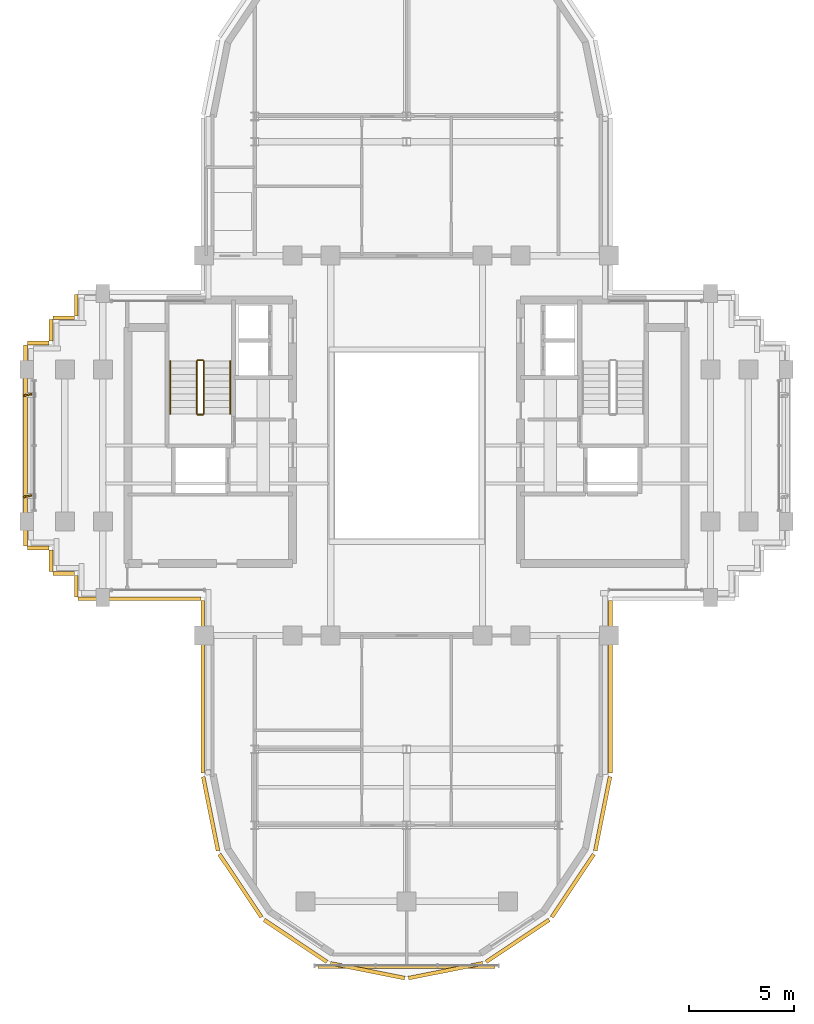
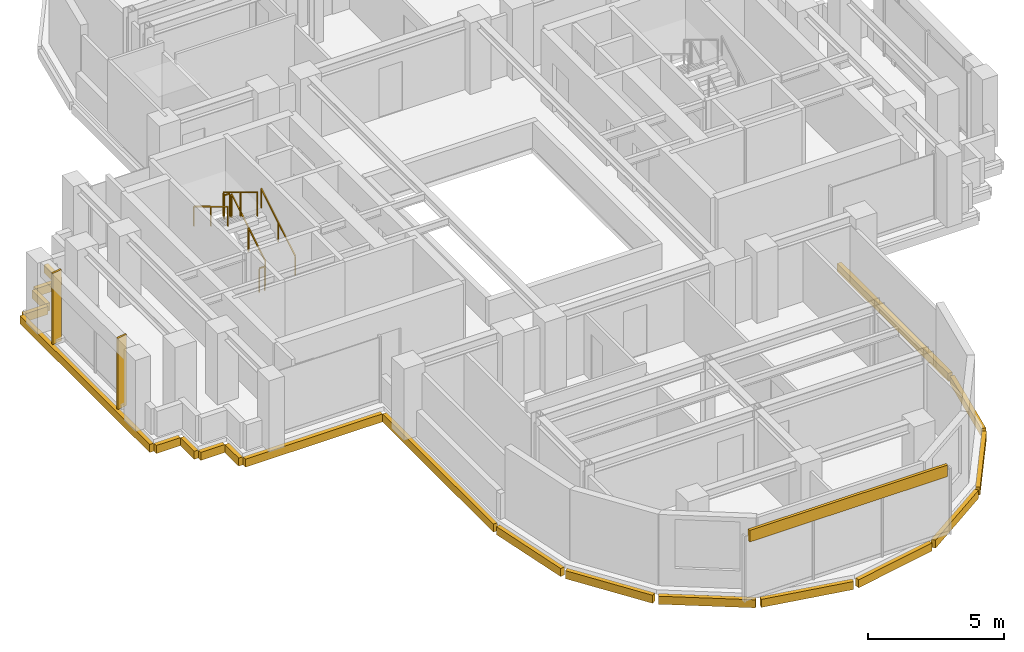
# One storey, part 9 of 11: 21 coverings, 6 railings, 2 shading devices.
"""IFC4 building model written with IfcOpenShell, lengths in metres."""

from ifc_helpers import new_model, si_unit, direction, frame, origin, origin_2d, place, context, subcontext, project, spatial, rectangle, extrude, source, transform, mapped, material, layer, layer_set, type_object, element, save


model = new_model("IFC4")

# Units and contexts
model_context = context("Model", 3, precision=1e-05, world=origin(), true_north=direction((0.0, 1.0)))
body_context = subcontext(model_context, "Body", "Model", "MODEL_VIEW")
ifc_project = project(units=[si_unit("LENGTHUNIT", "METRE"), si_unit("AREAUNIT", "SQUARE_METRE"), si_unit("VOLUMEUNIT", "CUBIC_METRE"), si_unit("PLANEANGLEUNIT", "RADIAN"), si_unit("MASSUNIT", "GRAM", prefix="KILO")], contexts=[model_context])

# Site, building, storey
site_placement = place(None, origin())
site = spatial("IfcSite", under=ifc_project, at=site_placement, CompositionType="ELEMENT")
building_placement = place(site_placement, origin())
building = spatial("IfcBuilding", under=site, at=building_placement, Name="Keilestroom Media Tower", CompositionType="ELEMENT")
storey_placement = place(building_placement, frame((0.0, 0.0, 204.60009765625)))
storey = spatial("IfcBuildingStorey", under=building, at=storey_placement, Name="L56", CompositionType="ELEMENT", Elevation=204.60009765625)

# Railings
ifc_material_1 = material(Name="Brushed Stainless Steel 1.4301", Category="steel")
railing_type_1 = type_object("IfcRailingType", Name="Stair-Pitch-Handrail-920", PredefinedType="HANDRAIL", material=ifc_material_1)
railing_1_placement = place(storey_placement, frame((-8.35009765625, 1.5, 0.188720703125)))
element("IfcRailing", 1, at=railing_1_placement, inside=storey, type_object=railing_type_1, Name="L56 ST-1 stair handrail 1", PredefinedType="HANDRAIL", context=body_context, shape_type="SweptSolid", body=[
    extrude(rectangle(XDim=0.048095703125, YDim=0.048095703125, at=origin_2d()), frame((0.0, 0.0, 0.8759765625), z_axis=(0.0, 0.855433747314, 0.517912255074), x_axis=(-1.0, 0.0, 0.0)), (0.0, 0.0, 1.0), 2.91796875),
    extrude(rectangle(XDim=0.0419921875, YDim=0.0419921875, at=origin_2d()), origin(), (0.0, 0.0, 1.0), 0.84375),
    extrude(rectangle(XDim=0.0419921875, YDim=0.0419921875, at=origin_2d()), frame((0.0, 1.248046875, 0.755615234375)), (0.0, 0.0, 1.0), 0.84375),
    extrude(rectangle(XDim=0.0419921875, YDim=0.0419921875, at=origin_2d()), frame((0.0, 2.49609375, 1.51123046875)), (0.0, 0.0, 1.0), 0.84375),
])
railing_2_placement = place(storey_placement, frame((-11.2099609375, 3.99609375, 1.888671875)))
element("IfcRailing", 2, at=railing_2_placement, inside=storey, type_object=railing_type_1, Name="L56 ST-1 stair handrail 2", PredefinedType="HANDRAIL", context=body_context, shape_type="SweptSolid", body=[
    extrude(rectangle(XDim=0.048095703125, YDim=0.048095703125, at=origin_2d()), frame((0.0, 0.0, 0.8759765625), z_axis=(0.0, -0.855433747314, 0.517912255074), x_axis=(1.0, 0.0, 0.0)), (0.0, 0.0, 1.0), 2.91796875),
    extrude(rectangle(XDim=0.0419921875, YDim=0.0419921875, at=origin_2d()), origin(), (0.0, 0.0, 1.0), 0.84375),
    extrude(rectangle(XDim=0.0419921875, YDim=0.0419921875, at=origin_2d()), frame((0.0, -1.248046875, 0.755615234375)), (0.0, 0.0, 1.0), 0.84375),
    extrude(rectangle(XDim=0.0419921875, YDim=0.0419921875, at=origin_2d()), frame((0.0, -2.49609375, 1.51123046875)), (0.0, 0.0, 1.0), 0.84375),
])
ifc_material_2 = material(Name="Painted Steel Balustrade", Category="steel")
railing_type_2 = type_object("IfcRailingType", Name="Stair-Well-And-Landing-Guard-1100", PredefinedType="GUARDRAIL", material=ifc_material_2)
railing_3_placement = place(storey_placement, frame((-9.610107421875, 1.5, 0.188720703125)))
element("IfcRailing", 3, at=railing_3_placement, inside=storey, type_object=railing_type_2, Name="L56 ST-1 stair guard 1", PredefinedType="GUARDRAIL", context=body_context, shape_type="SweptSolid", body=[
    extrude(rectangle(XDim=0.048095703125, YDim=0.048095703125, at=origin_2d()), frame((0.0, 0.0, 1.076171875), z_axis=(0.0, 0.855433747314, 0.517912255074), x_axis=(-1.0, 0.0, 0.0)), (0.0, 0.0, 1.0), 2.91796875),
    extrude(rectangle(XDim=0.0419921875, YDim=0.0419921875, at=origin_2d()), origin(), (0.0, 0.0, 1.0), 1.0439453125),
    extrude(rectangle(XDim=0.0419921875, YDim=0.0419921875, at=origin_2d()), frame((0.0, 1.248046875, 0.755615234375)), (0.0, 0.0, 1.0), 1.0439453125),
    extrude(rectangle(XDim=0.0419921875, YDim=0.0419921875, at=origin_2d()), frame((0.0, 2.49609375, 1.51123046875)), (0.0, 0.0, 1.0), 1.0439453125),
])
railing_4_placement = place(storey_placement, frame((-9.659912109375, 4.0458984375, 1.699951171875)))
element("IfcRailing", 4, at=railing_4_placement, inside=storey, type_object=railing_type_2, Name="L56 ST-1 stair guard 2", PredefinedType="GUARDRAIL", context=body_context, shape_type="SweptSolid", body=[
    extrude(rectangle(XDim=0.048095703125, YDim=0.048095703125, at=origin_2d()), frame((0.0, 0.0, 1.076171875), z_axis=(-1.0, 0.0, 0.0), x_axis=(0.0, -1.0, 0.0)), (0.0, 0.0, 1.0), 0.239990234375),
    extrude(rectangle(XDim=0.0419921875, YDim=0.0419921875, at=origin_2d()), origin(), (0.0, 0.0, 1.0), 1.0439453125),
    extrude(rectangle(XDim=0.0419921875, YDim=0.0419921875, at=origin_2d()), frame((-0.239990234375, 0.0, 0.0)), (0.0, 0.0, 1.0), 1.0439453125),
])
railing_5_placement = place(storey_placement, frame((-9.949951171875, 3.99609375, 1.888671875)))
element("IfcRailing", 5, at=railing_5_placement, inside=storey, type_object=railing_type_2, Name="L56 ST-1 stair guard 3", PredefinedType="GUARDRAIL", context=body_context, shape_type="SweptSolid", body=[
    extrude(rectangle(XDim=0.048095703125, YDim=0.048095703125, at=origin_2d()), frame((0.0, 0.0, 1.076171875), z_axis=(0.0, -0.855433747314, 0.517912255074), x_axis=(1.0, 0.0, 0.0)), (0.0, 0.0, 1.0), 2.91796875),
    extrude(rectangle(XDim=0.0419921875, YDim=0.0419921875, at=origin_2d()), origin(), (0.0, 0.0, 1.0), 1.0439453125),
    extrude(rectangle(XDim=0.0419921875, YDim=0.0419921875, at=origin_2d()), frame((0.0, -1.248046875, 0.755615234375)), (0.0, 0.0, 1.0), 1.0439453125),
    extrude(rectangle(XDim=0.0419921875, YDim=0.0419921875, at=origin_2d()), frame((0.0, -2.49609375, 1.51123046875)), (0.0, 0.0, 1.0), 1.0439453125),
])
railing_6_placement = place(storey_placement, frame((-9.659912109375, 1.449951171875, 0.0)))
element("IfcRailing", 6, at=railing_6_placement, inside=storey, type_object=railing_type_2, Name="L56 ST-1 stair guard 4", PredefinedType="GUARDRAIL", context=body_context, shape_type="SweptSolid", body=[
    extrude(rectangle(XDim=0.048095703125, YDim=0.048095703125, at=origin_2d()), frame((0.0, 0.0, 1.076171875), z_axis=(-1.0, 0.0, 0.0), x_axis=(0.0, -1.0, 0.0)), (0.0, 0.0, 1.0), 0.239990234375),
    extrude(rectangle(XDim=0.0419921875, YDim=0.0419921875, at=origin_2d()), origin(), (0.0, 0.0, 1.0), 1.0439453125),
    extrude(rectangle(XDim=0.0419921875, YDim=0.0419921875, at=origin_2d()), frame((-0.239990234375, 0.0, 0.0)), (0.0, 0.0, 1.0), 1.0439453125),
])

# Covering
ifc_material_3 = material(Name="Precast concrete C40/50", Category="concrete")
ifc_layer = layer(ifc_material_3, 0.1201171875)
ifc_layer_set = layer_set([ifc_layer], Name="Precast concrete C40/50")
covering_type = type_object("IfcCoveringType", Name="Exterior-Precast-Spandrel-Cladding-Panel-120", PredefinedType="CLADDING", material=ifc_layer_set)
shared_shape_1 = source(origin(), body_context, "Body", "SweptSolid", [
    extrude(rectangle(XDim=8.39990234375, YDim=0.1201171875, at=origin_2d()), origin(), (0.0, 0.0, 1.0), 0.52001953125),
])
covering_1_placement = place(storey_placement, frame((0.0, -24.719970703125, 2.68994140625), z_axis=(0.0, 0.0, 1.0), x_axis=(1.0, 0.0, 0.0)))
element("IfcCovering", 7, at=covering_1_placement, inside=storey, type_object=covering_type, Name="L56 Precast Spandrel Cladding S", PredefinedType="CLADDING", context=body_context, shape_type="MappedRepresentation", body=[
    mapped(shared_shape_1, transform((0.0, 0.0, 0.0), x_axis=(1.0, 0.0, 0.0), y_axis=(0.0, 1.0, 0.0), z_axis=(0.0, 0.0, 1.0), scale=1.0)),
])

# Shading devices
ifc_material_4 = material(Name="Bronze Anodised Aluminium", Category="aluminium")
shading_device_type = type_object("IfcShadingDeviceType", Name="Facade-Vertical-Sunshade-Fin-SHD-1", PredefinedType="USERDEFINED", material=ifc_material_4)
shared_shape_2 = source(origin(), body_context, "Body", "SweptSolid", [
    extrude(rectangle(XDim=0.419921875, YDim=0.080078125, at=origin_2d()), origin(), (0.0, 0.0, 1.0), 3.199951171875),
])
for number, where, z_axis, x_axis, name in (
    (8, (-17.969970703125, -2.39990234375, 0.0), (0.0, 0.0, 1.0), (0.984133733774, 0.177428278601, 0.0), "L56 Twisting Sunshade Fin SHD-1 081"),
    (9, (-17.969970703125, 2.39990234375, 0.0), (0.0, 0.0, 1.0), (0.984133733774, 0.177428278601, 0.0), "L56 Twisting Sunshade Fin SHD-1 082"),
):
    element("IfcShadingDevice", number, at=place(storey_placement, frame(where, z_axis=z_axis, x_axis=x_axis)), inside=storey, type_object=shading_device_type, Name=name, ObjectType="SUNSHADE", PredefinedType="USERDEFINED", context=body_context, shape_type="MappedRepresentation", body=[
        mapped(shared_shape_2, transform((0.0, 0.0, 0.0), x_axis=(1.0, 0.0, 0.0), y_axis=(0.0, 1.0, 0.0), z_axis=(0.0, 0.0, 1.0), scale=1.0)),
    ])

# Coverings
shared_shape_3 = source(origin(), body_context, "Body", "SweptSolid", [
    extrude(rectangle(XDim=1.02001953125, YDim=0.179931640625, at=origin_2d()), origin(), (0.0, 0.0, 1.0), 0.360107421875),
])
for number, where, z_axis, x_axis, name in (
    (10, (-15.659912109375, -6.659912109375, -0.5400390625), (0.0, 0.0, 1.0), (0.0, 1.0, 0.0), "L56 Precast Slab-Edge Fascia Cornice 17"),
    (11, (-16.260009765625, -6.06005859375, -0.5400390625), (0.0, 0.0, 1.0), (-1.0, 0.0, 0.0), "L56 Precast Slab-Edge Fascia Cornice 18"),
    (12, (-16.860107421875, -5.4599609375, -0.5400390625), (0.0, 0.0, 1.0), (0.0, 1.0, 0.0), "L56 Precast Slab-Edge Fascia Cornice 19"),
    (13, (-17.4599609375, -4.860107421875, -0.5400390625), (0.0, 0.0, 1.0), (-1.0, 0.0, 0.0), "L56 Precast Slab-Edge Fascia Cornice 20"),
    (14, (-17.4599609375, 4.860107421875, -0.5400390625), (0.0, 0.0, 1.0), (1.0, 0.0, 0.0), "L56 Precast Slab-Edge Fascia Cornice 22"),
    (15, (-16.860107421875, 5.4599609375, -0.5400390625), (0.0, 0.0, 1.0), (0.0, 1.0, 0.0), "L56 Precast Slab-Edge Fascia Cornice 23"),
    (16, (-16.260009765625, 6.06005859375, -0.5400390625), (0.0, 0.0, 1.0), (1.0, 0.0, 0.0), "L56 Precast Slab-Edge Fascia Cornice 24"),
    (17, (-15.659912109375, 6.659912109375, -0.5400390625), (0.0, 0.0, 1.0), (0.0, 1.0, 0.0), "L56 Precast Slab-Edge Fascia Cornice 25"),
):
    element("IfcCovering", number, at=place(storey_placement, frame(where, z_axis=z_axis, x_axis=x_axis)), inside=storey, type_object=covering_type, Name=name, PredefinedType="CLADDING", context=body_context, shape_type="MappedRepresentation", body=[
        mapped(shared_shape_3, transform((0.0, 0.0, 0.0), x_axis=(1.0, 0.0, 0.0), y_axis=(0.0, 1.0, 0.0), z_axis=(0.0, 0.0, 1.0), scale=1.0)),
    ])
shared_shape_4 = source(origin(), body_context, "Body", "SweptSolid", [
    extrude(rectangle(XDim=8.166015625, YDim=0.179931640625, at=origin_2d()), origin(), (0.0, 0.0, 1.0), 0.360107421875),
])
for number, where, z_axis, x_axis, name in (
    (18, (9.659912109375, -11.43310546875, -0.5400390625), (0.0, 0.0, 1.0), (0.0, -1.0, 0.0), "L56 Precast Slab-Edge Fascia Cornice 06"),
    (19, (-9.659912109375, -11.43310546875, -0.5400390625), (0.0, 0.0, 1.0), (0.0, 1.0, 0.0), "L56 Precast Slab-Edge Fascia Cornice 15"),
):
    element("IfcCovering", number, at=place(storey_placement, frame(where, z_axis=z_axis, x_axis=x_axis)), inside=storey, type_object=covering_type, Name=name, PredefinedType="CLADDING", context=body_context, shape_type="MappedRepresentation", body=[
        mapped(shared_shape_4, transform((0.0, 0.0, 0.0), x_axis=(1.0, 0.0, 0.0), y_axis=(0.0, 1.0, 0.0), z_axis=(0.0, 0.0, 1.0), scale=1.0)),
    ])
shared_shape_5 = source(origin(), body_context, "Body", "SweptSolid", [
    extrude(rectangle(XDim=3.58349609375, YDim=0.179931640625, at=origin_2d()), origin(), (0.0, 0.0, 1.0), 0.360107421875),
])
for number, where, z_axis, x_axis, name in (
    (20, (9.29296875, -17.45166015625, -0.5400390625), (0.0, 0.0, 1.0), (-0.195098880975, -0.980783577882, 0.0), "L56 Precast Slab-Edge Fascia Cornice 07"),
    (21, (-9.29296875, -17.45166015625, -0.5400390625), (0.0, 0.0, 1.0), (-0.195098880975, 0.980783577882, 0.0), "L56 Precast Slab-Edge Fascia Cornice 14"),
):
    element("IfcCovering", number, at=place(storey_placement, frame(where, z_axis=z_axis, x_axis=x_axis)), inside=storey, type_object=covering_type, Name=name, PredefinedType="CLADDING", context=body_context, shape_type="MappedRepresentation", body=[
        mapped(shared_shape_5, transform((0.0, 0.0, 0.0), x_axis=(1.0, 0.0, 0.0), y_axis=(0.0, 1.0, 0.0), z_axis=(0.0, 0.0, 1.0), scale=1.0)),
    ])
shared_shape_6 = source(origin(), body_context, "Body", "SweptSolid", [
    extrude(rectangle(XDim=3.589599609375, YDim=0.179931640625, at=origin_2d()), origin(), (0.0, 0.0, 1.0), 0.360107421875),
])
for number, where, z_axis, x_axis, name in (
    (22, (7.878662109375, -20.8642578125, -0.5400390625), (0.0, 0.0, 1.0), (-0.555574586577, -0.831466703332, 0.0), "L56 Precast Slab-Edge Fascia Cornice 08"),
    (23, (5.264404296875, -23.478515625, -0.5400390625), (0.0, 0.0, 1.0), (-0.831466703332, -0.555574586577, 0.0), "L56 Precast Slab-Edge Fascia Cornice 09"),
    (24, (1.8486328125, -24.893310546875, -0.5400390625), (0.0, 0.0, 1.0), (-0.980783577882, -0.195098880975, 0.0), "L56 Precast Slab-Edge Fascia Cornice 10"),
    (25, (-1.8486328125, -24.893310546875, -0.5400390625), (0.0, 0.0, 1.0), (-0.980783577882, 0.195098880975, 0.0), "L56 Precast Slab-Edge Fascia Cornice 11"),
    (26, (-5.264404296875, -23.478515625, -0.5400390625), (0.0, 0.0, 1.0), (-0.831466703332, 0.555574586577, 0.0), "L56 Precast Slab-Edge Fascia Cornice 12"),
    (27, (-7.878662109375, -20.8642578125, -0.5400390625), (0.0, 0.0, 1.0), (-0.555574586577, 0.831466703332, 0.0), "L56 Precast Slab-Edge Fascia Cornice 13"),
):
    element("IfcCovering", number, at=place(storey_placement, frame(where, z_axis=z_axis, x_axis=x_axis)), inside=storey, type_object=covering_type, Name=name, PredefinedType="CLADDING", context=body_context, shape_type="MappedRepresentation", body=[
        mapped(shared_shape_6, transform((0.0, 0.0, 0.0), x_axis=(1.0, 0.0, 0.0), y_axis=(0.0, 1.0, 0.0), z_axis=(0.0, 0.0, 1.0), scale=1.0)),
    ])
shared_shape_7 = source(origin(), body_context, "Body", "SweptSolid", [
    extrude(rectangle(XDim=9.5400390625, YDim=0.179931640625, at=origin_2d()), origin(), (0.0, 0.0, 1.0), 0.360107421875),
])
covering_2_placement = place(storey_placement, frame((-18.06005859375, 0.0, -0.5400390625), z_axis=(0.0, 0.0, 1.0), x_axis=(0.0, 1.0, 0.0)))
element("IfcCovering", 28, at=covering_2_placement, inside=storey, type_object=covering_type, Name="L56 Precast Slab-Edge Fascia Cornice 21", PredefinedType="CLADDING", context=body_context, shape_type="MappedRepresentation", body=[
    mapped(shared_shape_7, transform((0.0, 0.0, 0.0), x_axis=(1.0, 0.0, 0.0), y_axis=(0.0, 1.0, 0.0), z_axis=(0.0, 0.0, 1.0), scale=1.0)),
])
shared_shape_8 = source(origin(), body_context, "Body", "SweptSolid", [
    extrude(rectangle(XDim=5.820068359375, YDim=0.179931640625, at=origin_2d()), origin(), (0.0, 0.0, 1.0), 0.360107421875),
])
covering_3_placement = place(storey_placement, frame((-12.659912109375, -7.260009765625, -0.5400390625), z_axis=(0.0, 0.0, 1.0), x_axis=(-1.0, 0.0, 0.0)))
element("IfcCovering", 29, at=covering_3_placement, inside=storey, type_object=covering_type, Name="L56 Precast Slab-Edge Fascia Cornice 16", PredefinedType="CLADDING", context=body_context, shape_type="MappedRepresentation", body=[
    mapped(shared_shape_8, transform((0.0, 0.0, 0.0), x_axis=(1.0, 0.0, 0.0), y_axis=(0.0, 1.0, 0.0), z_axis=(0.0, 0.0, 1.0), scale=1.0)),
])

save(model, "model.ifc")
